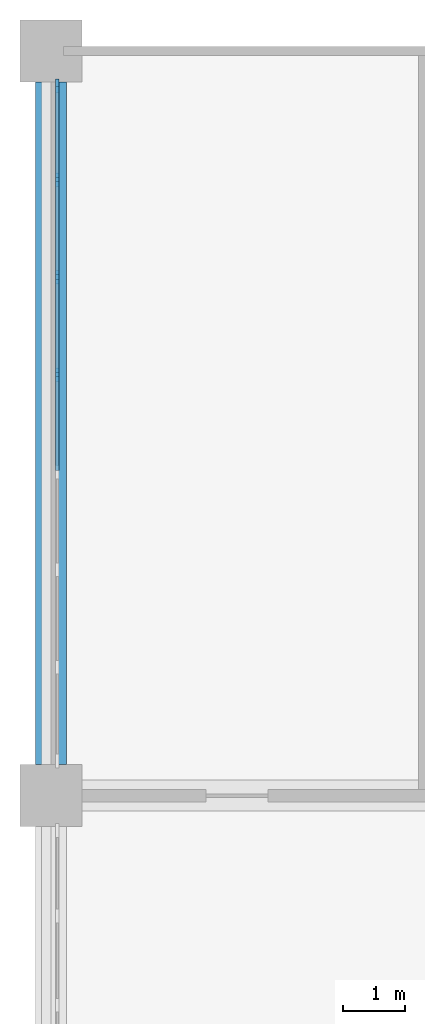
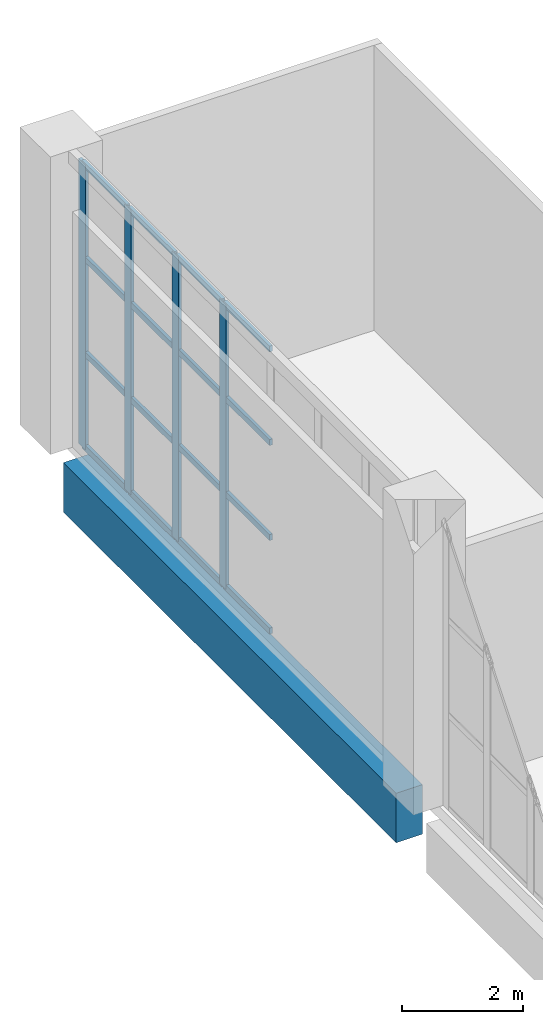
# One storey, part 36 of 72: 20 members, 1 beam, 1 element without a shape of its own.
"""IFC4 building model written with IfcOpenShell, lengths in metres."""

from ifc_helpers import new_model, si_unit, direction, frame, origin, origin_2d, place, context, subcontext, project, spatial, rectangle, extrude, material, layer, layer_set, material_profile, profile_set, type_object, element, aggregate, save


model = new_model("IFC4")

# Units and contexts
model_context = context("Model", 3, precision=1e-05, world=origin(), true_north=direction((0.0, 1.0)))
body_context = subcontext(model_context, "Body", "Model", "MODEL_VIEW")
ifc_project = project(units=[si_unit("LENGTHUNIT", "METRE"), si_unit("AREAUNIT", "SQUARE_METRE"), si_unit("VOLUMEUNIT", "CUBIC_METRE"), si_unit("PLANEANGLEUNIT", "RADIAN"), si_unit("MASSUNIT", "GRAM", prefix="KILO")], contexts=[model_context])

# Site, building, storey
site_placement = place(None, origin())
site = spatial("IfcSite", under=ifc_project, at=site_placement, CompositionType="ELEMENT")
building_placement = place(site_placement, origin())
building = spatial("IfcBuilding", under=site, at=building_placement, Name="Lilac Gate Convention Centre", CompositionType="ELEMENT")
storey_placement = place(building_placement, frame((0.0, 0.0, 6.0)))
storey = spatial("IfcBuildingStorey", under=building, at=storey_placement, Name="L01", CompositionType="ELEMENT", Elevation=6.0)

# Curtain wall, members
ifc_material_1 = material(Name="Aluminium framed double glazing", Category="aluminium")
ifc_layer = layer(ifc_material_1, 0.199951171875)
ifc_layer_set = layer_set([ifc_layer], Name="Aluminium framed double glazing")
curtain_wall_type = type_object("IfcCurtainWallType", Name="Unitised curtain wall 1500", PredefinedType="NOTDEFINED", material=ifc_layer_set)
curtain_wall_placement = place(storey_placement, origin())
curtain_wall = element("IfcCurtainWall", 1, at=curtain_wall_placement, inside=storey, type_object=curtain_wall_type, Name="Curtain wall GW L01 1", PredefinedType="NOTDEFINED")
ifc_material_2 = material(Name="Aluminium alloy 6063", Category="aluminium")
ifc_material_profile_1 = material_profile(ifc_material_2, rectangle(XDim=0.06005859375, YDim=0.219970703125, at=origin_2d()), Name="Curtain wall mullion 60 x 220")
ifc_profile_set_1 = profile_set([ifc_material_profile_1], Name="Aluminium alloy 6063")
member_type_1 = type_object("IfcMemberType", Name="Curtain wall mullion 60 x 220", PredefinedType="MULLION", material=ifc_profile_set_1)
member_1_placement = place(storey_placement, frame((6.10009765625, 245.43994140625, 0.0), z_axis=(0.0, 0.0, 1.0), x_axis=(1.0, 0.0, 0.0)))
member_1 = element("IfcMember", 2, at=member_1_placement, type_object=member_type_1, Name="CW mullion 1", PredefinedType="MULLION", context=body_context, shape_type="SweptSolid", body=[
    extrude(rectangle(XDim=0.06005859375, YDim=0.219970703125, at=origin_2d()), origin(), (0.0, 0.0, 1.0), 5.75),
])
member_2_placement = place(storey_placement, frame((6.10009765625, 243.928466796875, 0.0), z_axis=(0.0, 0.0, 1.0), x_axis=(1.0, 0.0, 0.0)))
member_2 = element("IfcMember", 3, at=member_2_placement, type_object=member_type_1, Name="CW mullion 2", PredefinedType="MULLION", context=body_context, shape_type="SweptSolid", body=[
    extrude(rectangle(XDim=0.06005859375, YDim=0.219970703125, at=origin_2d()), origin(), (0.0, 0.0, 1.0), 5.75),
])
member_3_placement = place(storey_placement, frame((6.10009765625, 242.357177734375, 0.0), z_axis=(0.0, 0.0, 1.0), x_axis=(1.0, 0.0, 0.0)))
member_3 = element("IfcMember", 4, at=member_3_placement, type_object=member_type_1, Name="CW mullion 3", PredefinedType="MULLION", context=body_context, shape_type="SweptSolid", body=[
    extrude(rectangle(XDim=0.06005859375, YDim=0.219970703125, at=origin_2d()), origin(), (0.0, 0.0, 1.0), 5.75),
])
member_4_placement = place(storey_placement, frame((6.10009765625, 240.78564453125, 0.0), z_axis=(0.0, 0.0, 1.0), x_axis=(1.0, 0.0, 0.0)))
member_4 = element("IfcMember", 5, at=member_4_placement, type_object=member_type_1, Name="CW mullion 4", PredefinedType="MULLION", context=body_context, shape_type="SweptSolid", body=[
    extrude(rectangle(XDim=0.06005859375, YDim=0.219970703125, at=origin_2d()), origin(), (0.0, 0.0, 1.0), 5.75),
])
ifc_material_profile_2 = material_profile(ifc_material_2, rectangle(XDim=0.06005859375, YDim=0.1201171875, at=origin_2d()), Name="Curtain wall transom 60 x 120")
ifc_profile_set_2 = profile_set([ifc_material_profile_2], Name="Aluminium alloy 6063")
member_type_2 = type_object("IfcMemberType", Name="Curtain wall transom 60 x 120", PredefinedType="USERDEFINED", material=ifc_profile_set_2)
member_5_placement = place(storey_placement, frame((6.10009765625, 245.43994140625, 0.030029296875), z_axis=(0.0, -1.0, 0.0), x_axis=(1.0, 0.0, 0.0)))
member_5 = element("IfcMember", 6, at=member_5_placement, type_object=member_type_2, Name="CW transom 1.1", ObjectType="TRANSOM", PredefinedType="USERDEFINED", context=body_context, shape_type="SweptSolid", body=[
    extrude(rectangle(XDim=0.06005859375, YDim=0.1201171875, at=origin_2d()), origin(), (0.0, 0.0, 1.0), 1.4814453125),
])
member_6_placement = place(storey_placement, frame((6.10009765625, 245.43994140625, 1.916748046875), z_axis=(0.0, -1.0, 0.0), x_axis=(1.0, 0.0, 0.0)))
member_6 = element("IfcMember", 7, at=member_6_placement, type_object=member_type_2, Name="CW transom 1.2", ObjectType="TRANSOM", PredefinedType="USERDEFINED", context=body_context, shape_type="SweptSolid", body=[
    extrude(rectangle(XDim=0.06005859375, YDim=0.1201171875, at=origin_2d()), origin(), (0.0, 0.0, 1.0), 1.4814453125),
])
member_7_placement = place(storey_placement, frame((6.10009765625, 245.43994140625, 3.833251953125), z_axis=(0.0, -1.0, 0.0), x_axis=(1.0, 0.0, 0.0)))
member_7 = element("IfcMember", 8, at=member_7_placement, type_object=member_type_2, Name="CW transom 1.3", ObjectType="TRANSOM", PredefinedType="USERDEFINED", context=body_context, shape_type="SweptSolid", body=[
    extrude(rectangle(XDim=0.06005859375, YDim=0.1201171875, at=origin_2d()), origin(), (0.0, 0.0, 1.0), 1.4814453125),
])
member_8_placement = place(storey_placement, frame((6.10009765625, 245.43994140625, 5.719970703125), z_axis=(0.0, -1.0, 0.0), x_axis=(1.0, 0.0, 0.0)))
member_8 = element("IfcMember", 9, at=member_8_placement, type_object=member_type_2, Name="CW transom 1.4", ObjectType="TRANSOM", PredefinedType="USERDEFINED", context=body_context, shape_type="SweptSolid", body=[
    extrude(rectangle(XDim=0.06005859375, YDim=0.1201171875, at=origin_2d()), origin(), (0.0, 0.0, 1.0), 1.4814453125),
])
member_9_placement = place(storey_placement, frame((6.10009765625, 243.898681640625, 0.030029296875), z_axis=(0.0, -1.0, 0.0), x_axis=(1.0, 0.0, 0.0)))
member_9 = element("IfcMember", 10, at=member_9_placement, type_object=member_type_2, Name="CW transom 2.1", ObjectType="TRANSOM", PredefinedType="USERDEFINED", context=body_context, shape_type="SweptSolid", body=[
    extrude(rectangle(XDim=0.06005859375, YDim=0.1201171875, at=origin_2d()), origin(), (0.0, 0.0, 1.0), 1.511474609375),
])
member_10_placement = place(storey_placement, frame((6.10009765625, 243.898681640625, 1.916748046875), z_axis=(0.0, -1.0, 0.0), x_axis=(1.0, 0.0, 0.0)))
member_10 = element("IfcMember", 11, at=member_10_placement, type_object=member_type_2, Name="CW transom 2.2", ObjectType="TRANSOM", PredefinedType="USERDEFINED", context=body_context, shape_type="SweptSolid", body=[
    extrude(rectangle(XDim=0.06005859375, YDim=0.1201171875, at=origin_2d()), origin(), (0.0, 0.0, 1.0), 1.511474609375),
])
member_11_placement = place(storey_placement, frame((6.10009765625, 243.898681640625, 3.833251953125), z_axis=(0.0, -1.0, 0.0), x_axis=(1.0, 0.0, 0.0)))
member_11 = element("IfcMember", 12, at=member_11_placement, type_object=member_type_2, Name="CW transom 2.3", ObjectType="TRANSOM", PredefinedType="USERDEFINED", context=body_context, shape_type="SweptSolid", body=[
    extrude(rectangle(XDim=0.06005859375, YDim=0.1201171875, at=origin_2d()), origin(), (0.0, 0.0, 1.0), 1.511474609375),
])
member_12_placement = place(storey_placement, frame((6.10009765625, 243.898681640625, 5.719970703125), z_axis=(0.0, -1.0, 0.0), x_axis=(1.0, 0.0, 0.0)))
member_12 = element("IfcMember", 13, at=member_12_placement, type_object=member_type_2, Name="CW transom 2.4", ObjectType="TRANSOM", PredefinedType="USERDEFINED", context=body_context, shape_type="SweptSolid", body=[
    extrude(rectangle(XDim=0.06005859375, YDim=0.1201171875, at=origin_2d()), origin(), (0.0, 0.0, 1.0), 1.511474609375),
])
member_13_placement = place(storey_placement, frame((6.10009765625, 242.3271484375, 0.030029296875), z_axis=(0.0, -1.0, 0.0), x_axis=(1.0, 0.0, 0.0)))
member_13 = element("IfcMember", 14, at=member_13_placement, type_object=member_type_2, Name="CW transom 3.1", ObjectType="TRANSOM", PredefinedType="USERDEFINED", context=body_context, shape_type="SweptSolid", body=[
    extrude(rectangle(XDim=0.06005859375, YDim=0.1201171875, at=origin_2d()), origin(), (0.0, 0.0, 1.0), 1.511474609375),
])
member_14_placement = place(storey_placement, frame((6.10009765625, 242.3271484375, 1.916748046875), z_axis=(0.0, -1.0, 0.0), x_axis=(1.0, 0.0, 0.0)))
member_14 = element("IfcMember", 15, at=member_14_placement, type_object=member_type_2, Name="CW transom 3.2", ObjectType="TRANSOM", PredefinedType="USERDEFINED", context=body_context, shape_type="SweptSolid", body=[
    extrude(rectangle(XDim=0.06005859375, YDim=0.1201171875, at=origin_2d()), origin(), (0.0, 0.0, 1.0), 1.511474609375),
])
member_15_placement = place(storey_placement, frame((6.10009765625, 242.3271484375, 3.833251953125), z_axis=(0.0, -1.0, 0.0), x_axis=(1.0, 0.0, 0.0)))
member_15 = element("IfcMember", 16, at=member_15_placement, type_object=member_type_2, Name="CW transom 3.3", ObjectType="TRANSOM", PredefinedType="USERDEFINED", context=body_context, shape_type="SweptSolid", body=[
    extrude(rectangle(XDim=0.06005859375, YDim=0.1201171875, at=origin_2d()), origin(), (0.0, 0.0, 1.0), 1.511474609375),
])
member_16_placement = place(storey_placement, frame((6.10009765625, 242.3271484375, 5.719970703125), z_axis=(0.0, -1.0, 0.0), x_axis=(1.0, 0.0, 0.0)))
member_16 = element("IfcMember", 17, at=member_16_placement, type_object=member_type_2, Name="CW transom 3.4", ObjectType="TRANSOM", PredefinedType="USERDEFINED", context=body_context, shape_type="SweptSolid", body=[
    extrude(rectangle(XDim=0.06005859375, YDim=0.1201171875, at=origin_2d()), origin(), (0.0, 0.0, 1.0), 1.511474609375),
])
member_17_placement = place(storey_placement, frame((6.10009765625, 240.755615234375, 0.030029296875), z_axis=(0.0, -1.0, 0.0), x_axis=(1.0, 0.0, 0.0)))
member_17 = element("IfcMember", 18, at=member_17_placement, type_object=member_type_2, Name="CW transom 4.1", ObjectType="TRANSOM", PredefinedType="USERDEFINED", context=body_context, shape_type="SweptSolid", body=[
    extrude(rectangle(XDim=0.06005859375, YDim=0.1201171875, at=origin_2d()), origin(), (0.0, 0.0, 1.0), 1.51123046875),
])
member_18_placement = place(storey_placement, frame((6.10009765625, 240.755615234375, 1.916748046875), z_axis=(0.0, -1.0, 0.0), x_axis=(1.0, 0.0, 0.0)))
member_18 = element("IfcMember", 19, at=member_18_placement, type_object=member_type_2, Name="CW transom 4.2", ObjectType="TRANSOM", PredefinedType="USERDEFINED", context=body_context, shape_type="SweptSolid", body=[
    extrude(rectangle(XDim=0.06005859375, YDim=0.1201171875, at=origin_2d()), origin(), (0.0, 0.0, 1.0), 1.51123046875),
])
member_19_placement = place(storey_placement, frame((6.10009765625, 240.755615234375, 3.833251953125), z_axis=(0.0, -1.0, 0.0), x_axis=(1.0, 0.0, 0.0)))
member_19 = element("IfcMember", 20, at=member_19_placement, type_object=member_type_2, Name="CW transom 4.3", ObjectType="TRANSOM", PredefinedType="USERDEFINED", context=body_context, shape_type="SweptSolid", body=[
    extrude(rectangle(XDim=0.06005859375, YDim=0.1201171875, at=origin_2d()), origin(), (0.0, 0.0, 1.0), 1.51123046875),
])
member_20_placement = place(storey_placement, frame((6.10009765625, 240.755615234375, 5.719970703125), z_axis=(0.0, -1.0, 0.0), x_axis=(1.0, 0.0, 0.0)))
member_20 = element("IfcMember", 21, at=member_20_placement, type_object=member_type_2, Name="CW transom 4.4", ObjectType="TRANSOM", PredefinedType="USERDEFINED", context=body_context, shape_type="SweptSolid", body=[
    extrude(rectangle(XDim=0.06005859375, YDim=0.1201171875, at=origin_2d()), origin(), (0.0, 0.0, 1.0), 1.51123046875),
])
aggregate(curtain_wall, [member_1, member_2, member_3, member_4, member_5, member_6, member_7, member_8, member_9, member_10, member_11, member_12, member_13, member_14, member_15, member_16, member_17, member_18, member_19, member_20])

# Beam
ifc_material_3 = material(Name="Concrete C40", Category="concrete")
ifc_material_profile_3 = material_profile(ifc_material_3, rectangle(XDim=0.5, YDim=1.0, at=origin_2d()), Name="RC 500x1000")
ifc_profile_set_3 = profile_set([ifc_material_profile_3], Name="Concrete C40")
beam_type = type_object("IfcBeamType", Name="Primary beam 500x1000 C40", PredefinedType="BEAM", material=ifc_profile_set_3)
beam_placement = place(storey_placement, frame((6.0, 234.5, -0.75), z_axis=(0.0, 1.0, 0.0), x_axis=(-1.0, 0.0, 0.0)))
element("IfcBeam", 22, at=beam_placement, inside=storey, type_object=beam_type, Name="RB1 L01 1/T-1/U", PredefinedType="BEAM", context=body_context, shape_type="SweptSolid", body=[
    extrude(rectangle(XDim=0.5, YDim=1.0, at=origin_2d()), origin(), (0.0, 0.0, 1.0), 11.0),
])

save(model, "model.ifc")
